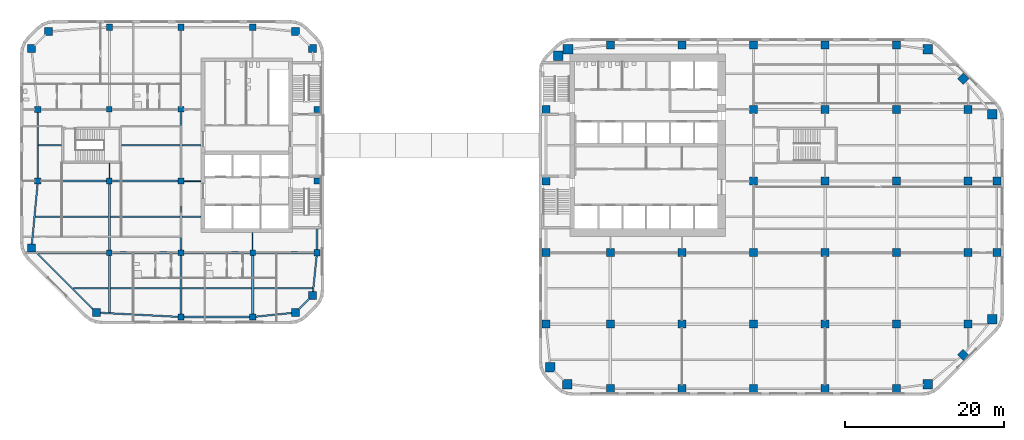
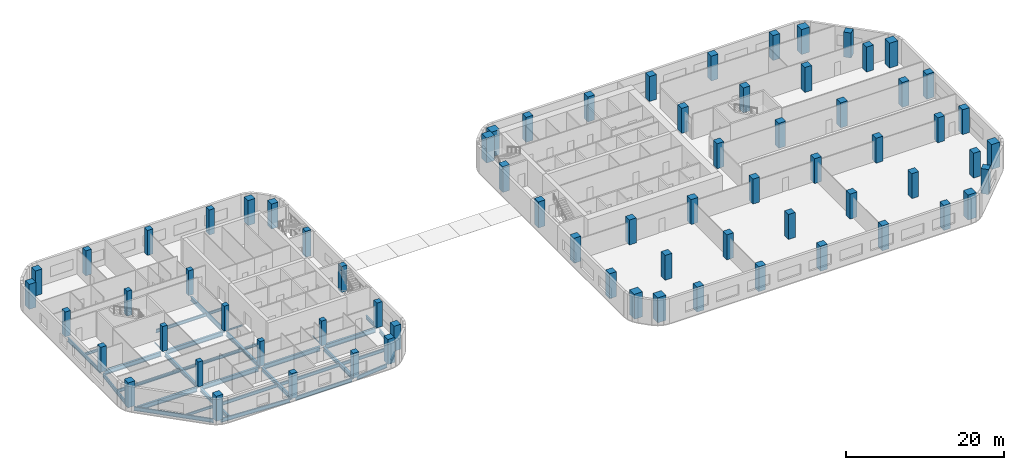
# One storey, part 1 of 15: 71 columns, 34 beams.
"""IFC4 building model written with IfcOpenShell, lengths in metres."""

from ifc_helpers import new_model, si_unit, direction, frame, origin, origin_2d, place, context, subcontext, project, spatial, rectangle, i_section, extrude, material, material_profile, profile_set, type_object, element, save


model = new_model("IFC4")

# Units and contexts
model_context = context("Model", 3, precision=1e-05, world=origin(), true_north=direction((0.0, 1.0)))
body_context = subcontext(model_context, "Body", "Model", "MODEL_VIEW")
ifc_project = project(units=[si_unit("LENGTHUNIT", "METRE"), si_unit("AREAUNIT", "SQUARE_METRE"), si_unit("VOLUMEUNIT", "CUBIC_METRE"), si_unit("PLANEANGLEUNIT", "RADIAN"), si_unit("MASSUNIT", "GRAM", prefix="KILO")], contexts=[model_context])

# Site, building, storey
site_placement = place(None, origin())
site = spatial("IfcSite", under=ifc_project, at=site_placement, CompositionType="ELEMENT")
building_placement = place(site_placement, origin())
building = spatial("IfcBuilding", under=site, at=building_placement, Name="Cinnabar Reach Civic Tower", CompositionType="ELEMENT")
storey_placement = place(building_placement, frame((0.0, 0.0, 75.0)))
storey = spatial("IfcBuildingStorey", under=building, at=storey_placement, Name="L17", CompositionType="ELEMENT", Elevation=75.0)

# Columns
ifc_material_1 = material(Name="Concrete C70", Category="concrete")
ifc_material_profile_1 = material_profile(ifc_material_1, rectangle(XDim=1.0, YDim=1.0, at=origin_2d()), Name="RC1000")
ifc_profile_set_1 = profile_set([ifc_material_profile_1], Name="Concrete C70")
column_type_1 = type_object("IfcColumnType", Name="RC1000 column R 180", PredefinedType="COLUMN", material=ifc_profile_set_1)
for number, where, z_axis, x_axis, name in (
    (1, (-55.6481, 10.4531, 0.0), (0.0, 0.0, 1.0), (1.0, 0.0, 0.0), "Column T2-Z2-CC0"),
    (2, (-30.6019, 10.4531, 0.0), (0.0, 0.0, 1.0), (1.0, 0.0, 0.0), "Column T2-Z2-CC1"),
    (3, (-28.4531, 12.6019, 0.0), (0.0, 0.0, 1.0), (1.0, 0.0, 0.0), "Column T2-Z2-CC2"),
    (4, (-28.4531, 43.6481, 0.0), (0.0, 0.0, 1.0), (1.0, 0.0, 0.0), "Column T2-Z2-CC3"),
    (5, (-30.6019, 45.7969, 0.0), (0.0, 0.0, 1.0), (1.0, 0.0, 0.0), "Column T2-Z2-CC4"),
    (6, (-61.6481, 45.7969, 0.0), (0.0, 0.0, 1.0), (1.0, 0.0, 0.0), "Column T2-Z2-CC5"),
    (7, (-63.7969, 43.6481, 0.0), (0.0, 0.0, 1.0), (1.0, 0.0, 0.0), "Column T2-Z2-CC6"),
    (8, (-63.7969, 18.6019, 0.0), (0.0, 0.0, 1.0), (1.0, 0.0, 0.0), "Column T2-Z2-CC7"),
):
    element("IfcColumn", number, at=place(storey_placement, frame(where, z_axis=z_axis, x_axis=x_axis)), inside=storey, type_object=column_type_1, Name=name, PredefinedType="COLUMN", context=body_context, shape_type="SweptSolid", body=[
        extrude(rectangle(XDim=1.0, YDim=1.0, at=origin_2d()), origin(), (0.0, 0.0, 1.0), 3.85),
    ])
ifc_material_profile_2 = material_profile(ifc_material_1, rectangle(XDim=1.0, YDim=1.0, at=origin_2d()), Name="RC1000")
ifc_profile_set_2 = profile_set([ifc_material_profile_2], Name="Concrete C70")
column_type_2 = type_object("IfcColumnType", Name="RC1000 column R 240", PredefinedType="COLUMN", material=ifc_profile_set_2)
for number, where, z_axis, x_axis, name in (
    (9, (9.0, 0.9, 0.0), (0.0, 0.0, 1.0), (1.0, 0.0, 0.0), "Column T1-Z1-F0-1"),
    (10, (18.0, 0.9, 0.0), (0.0, 0.0, 1.0), (1.0, 0.0, 0.0), "Column T1-Z1-F0-2"),
    (11, (27.0, 0.9, 0.0), (0.0, 0.0, 1.0), (1.0, 0.0, 0.0), "Column T1-Z1-F0-3"),
    (12, (36.0, 0.9, 0.0), (0.0, 0.0, 1.0), (1.0, 0.0, 0.0), "Column T1-Z1-F0-4"),
    (13, (45.0, 0.9, 0.0), (0.0, 0.0, 1.0), (1.0, 0.0, 0.0), "Column T1-Z1-F0-5"),
    (14, (53.3636, 5.1364, 0.0), (0.0, 0.0, 1.0), (0.707106781187, 0.707106781187, 0.0), "Column T1-Z1-F1-M"),
    (15, (57.6, 18.0, 0.0), (0.0, 0.0, 1.0), (1.0, 0.0, 0.0), "Column T1-Z1-F2-2"),
    (16, (57.6, 27.0, 0.0), (0.0, 0.0, 1.0), (1.0, 0.0, 0.0), "Column T1-Z1-F2-3"),
    (17, (53.3636, 39.8636, 0.0), (0.0, 0.0, 1.0), (0.707106781187, 0.707106781187, 0.0), "Column T1-Z1-F3-M"),
    (18, (9.0, 44.1, 0.0), (0.0, 0.0, 1.0), (1.0, 0.0, 0.0), "Column T1-Z1-F4-1"),
    (19, (18.0, 44.1, 0.0), (0.0, 0.0, 1.0), (1.0, 0.0, 0.0), "Column T1-Z1-F4-2"),
    (20, (27.0, 44.1, 0.0), (0.0, 0.0, 1.0), (1.0, 0.0, 0.0), "Column T1-Z1-F4-3"),
    (21, (36.0, 44.1, 0.0), (0.0, 0.0, 1.0), (1.0, 0.0, 0.0), "Column T1-Z1-F4-4"),
    (22, (45.0, 44.1, 0.0), (0.0, 0.0, 1.0), (1.0, 0.0, 0.0), "Column T1-Z1-F4-5"),
    (23, (0.9, 9.0, 0.0), (0.0, 0.0, 1.0), (1.0, 0.0, 0.0), "Column T1-Z1-F6-1"),
    (24, (0.9, 18.0, 0.0), (0.0, 0.0, 1.0), (1.0, 0.0, 0.0), "Column T1-Z1-F6-2"),
):
    element("IfcColumn", number, at=place(storey_placement, frame(where, z_axis=z_axis, x_axis=x_axis)), inside=storey, type_object=column_type_2, Name=name, PredefinedType="COLUMN", context=body_context, shape_type="SweptSolid", body=[
        extrude(rectangle(XDim=1.0, YDim=1.0, at=origin_2d()), origin(), (0.0, 0.0, 1.0), 3.85),
    ])
for number, where, z_axis, x_axis, name in (
    (25, (0.9, 27.0, 0.0), (0.0, 0.0, 1.0), (1.0, 0.0, 0.0), "Column T1-Z1-F6-3"),
    (26, (0.9, 36.0, 0.0), (0.0, 0.0, 1.0), (1.0, 0.0, 0.0), "Column T1-Z1-F6-4"),
):
    element("IfcColumn", number, at=place(storey_placement, frame(where, z_axis=z_axis, x_axis=x_axis)), inside=storey, type_object=column_type_2, Name=name, PredefinedType="COLUMN", context=body_context, shape_type="SweptSolid", body=[
        extrude(rectangle(XDim=1.0, YDim=1.0, at=origin_2d()), origin(), (0.0, 0.0, 1.0), 4.0),
    ])
for number, where, z_axis, x_axis, name in (
    (27, (9.0, 9.0, 0.0), (0.0, 0.0, 1.0), (1.0, 0.0, 0.0), "Column T1-Z1-I9_9"),
    (28, (9.0, 18.0, 0.0), (0.0, 0.0, 1.0), (1.0, 0.0, 0.0), "Column T1-Z1-I9_18"),
    (29, (18.0, 9.0, 0.0), (0.0, 0.0, 1.0), (1.0, 0.0, 0.0), "Column T1-Z1-I18_9"),
    (30, (18.0, 18.0, 0.0), (0.0, 0.0, 1.0), (1.0, 0.0, 0.0), "Column T1-Z1-I18_18"),
    (31, (27.0, 9.0, 0.0), (0.0, 0.0, 1.0), (1.0, 0.0, 0.0), "Column T1-Z1-I27_9"),
    (32, (27.0, 18.0, 0.0), (0.0, 0.0, 1.0), (1.0, 0.0, 0.0), "Column T1-Z1-I27_18"),
    (33, (27.0, 27.0, 0.0), (0.0, 0.0, 1.0), (1.0, 0.0, 0.0), "Column T1-Z1-I27_27"),
    (34, (27.0, 36.0, 0.0), (0.0, 0.0, 1.0), (1.0, 0.0, 0.0), "Column T1-Z1-I27_36"),
    (35, (36.0, 9.0, 0.0), (0.0, 0.0, 1.0), (1.0, 0.0, 0.0), "Column T1-Z1-I36_9"),
    (36, (36.0, 18.0, 0.0), (0.0, 0.0, 1.0), (1.0, 0.0, 0.0), "Column T1-Z1-I36_18"),
    (37, (36.0, 27.0, 0.0), (0.0, 0.0, 1.0), (1.0, 0.0, 0.0), "Column T1-Z1-I36_27"),
    (38, (36.0, 36.0, 0.0), (0.0, 0.0, 1.0), (1.0, 0.0, 0.0), "Column T1-Z1-I36_36"),
    (39, (45.0, 9.0, 0.0), (0.0, 0.0, 1.0), (1.0, 0.0, 0.0), "Column T1-Z1-I45_9"),
    (40, (45.0, 18.0, 0.0), (0.0, 0.0, 1.0), (1.0, 0.0, 0.0), "Column T1-Z1-I45_18"),
    (41, (45.0, 27.0, 0.0), (0.0, 0.0, 1.0), (1.0, 0.0, 0.0), "Column T1-Z1-I45_27"),
    (42, (45.0, 36.0, 0.0), (0.0, 0.0, 1.0), (1.0, 0.0, 0.0), "Column T1-Z1-I45_36"),
    (43, (54.0, 9.0, 0.0), (0.0, 0.0, 1.0), (1.0, 0.0, 0.0), "Column T1-Z1-I54_9"),
    (44, (54.0, 18.0, 0.0), (0.0, 0.0, 1.0), (1.0, 0.0, 0.0), "Column T1-Z1-I54_18"),
    (45, (54.0, 27.0, 0.0), (0.0, 0.0, 1.0), (1.0, 0.0, 0.0), "Column T1-Z1-I54_27"),
    (46, (54.0, 36.0, 0.0), (0.0, 0.0, 1.0), (1.0, 0.0, 0.0), "Column T1-Z1-I54_36"),
):
    element("IfcColumn", number, at=place(storey_placement, frame(where, z_axis=z_axis, x_axis=x_axis)), inside=storey, type_object=column_type_2, Name=name, PredefinedType="COLUMN", context=body_context, shape_type="SweptSolid", body=[
        extrude(rectangle(XDim=1.0, YDim=1.0, at=origin_2d()), origin(), (0.0, 0.0, 1.0), 3.85),
    ])
ifc_material_2 = material(Name="Concrete C80", Category="concrete")
ifc_material_profile_3 = material_profile(ifc_material_2, rectangle(XDim=1.2, YDim=1.2, at=origin_2d()), Name="RC1200")
ifc_profile_set_3 = profile_set([ifc_material_profile_3], Name="Concrete C80")
column_type_3 = type_object("IfcColumnType", Name="RC1200 column R 240", PredefinedType="COLUMN", material=ifc_profile_set_3)
for number, where, z_axis, x_axis, name in (
    (47, (3.6019, 1.4531, 0.0), (0.0, 0.0, 1.0), (1.0, 0.0, 0.0), "Column T1-Z1-CC0"),
    (48, (48.8981, 1.4531, 0.0), (0.0, 0.0, 1.0), (1.0, 0.0, 0.0), "Column T1-Z1-CC1"),
    (49, (57.0469, 9.6019, 0.0), (0.0, 0.0, 1.0), (1.0, 0.0, 0.0), "Column T1-Z1-CC2"),
    (50, (57.0469, 35.3981, 0.0), (0.0, 0.0, 1.0), (1.0, 0.0, 0.0), "Column T1-Z1-CC3"),
    (51, (48.8981, 43.5469, 0.0), (0.0, 0.0, 1.0), (1.0, 0.0, 0.0), "Column T1-Z1-CC4"),
    (52, (3.6666, 43.5737, 0.0), (0.0, 0.0, 1.0), (1.0, 0.0, 0.0), "Column T1-Z1-CC5"),
    (53, (2.4631, 42.75, 0.0), (0.0, 0.0, 1.0), (1.0, 0.0, 0.0), "Column T1-Z1-CC6"),
    (54, (1.4531, 3.6019, 0.0), (0.0, 0.0, 1.0), (1.0, 0.0, 0.0), "Column T1-Z1-CC7"),
):
    element("IfcColumn", number, at=place(storey_placement, frame(where, z_axis=z_axis, x_axis=x_axis)), inside=storey, type_object=column_type_3, Name=name, PredefinedType="COLUMN", context=body_context, shape_type="SweptSolid", body=[
        extrude(rectangle(XDim=1.2, YDim=1.2, at=origin_2d()), origin(), (0.0, 0.0, 1.0), 3.85),
    ])
ifc_material_3 = material(Name="Concrete C60", Category="concrete")
ifc_material_profile_4 = material_profile(ifc_material_3, rectangle(XDim=0.7, YDim=0.7, at=origin_2d()), Name="RC700")
ifc_profile_set_4 = profile_set([ifc_material_profile_4], Name="Concrete C60")
column_type_4 = type_object("IfcColumnType", Name="RC700 column R 180", PredefinedType="COLUMN", material=ifc_profile_set_4)
for number, where, z_axis, x_axis, name in (
    (55, (-54.0, 18.0, 0.0), (0.0, 0.0, 1.0), (1.0, 0.0, 0.0), "Column T2-Z2-I-54_18"),
    (56, (-54.0, 27.0, 0.0), (0.0, 0.0, 1.0), (1.0, 0.0, 0.0), "Column T2-Z2-I-54_27"),
    (57, (-54.0, 36.0, 0.0), (0.0, 0.0, 1.0), (1.0, 0.0, 0.0), "Column T2-Z2-I-54_36"),
    (58, (-45.0, 18.0, 0.0), (0.0, 0.0, 1.0), (1.0, 0.0, 0.0), "Column T2-Z2-I-45_18"),
    (59, (-45.0, 27.0, 0.0), (0.0, 0.0, 1.0), (1.0, 0.0, 0.0), "Column T2-Z2-I-45_27"),
    (60, (-45.0, 36.0, 0.0), (0.0, 0.0, 1.0), (1.0, 0.0, 0.0), "Column T2-Z2-I-45_36"),
    (61, (-36.0, 18.0, 0.0), (0.0, 0.0, 1.0), (1.0, 0.0, 0.0), "Column T2-Z2-I-36_18"),
):
    element("IfcColumn", number, at=place(storey_placement, frame(where, z_axis=z_axis, x_axis=x_axis)), inside=storey, type_object=column_type_4, Name=name, PredefinedType="COLUMN", context=body_context, shape_type="SweptSolid", body=[
        extrude(rectangle(XDim=0.7, YDim=0.7, at=origin_2d()), origin(), (0.0, 0.0, 1.0), 3.85),
    ])
ifc_material_profile_5 = material_profile(ifc_material_3, rectangle(XDim=0.8, YDim=0.8, at=origin_2d()), Name="RC800")
ifc_profile_set_5 = profile_set([ifc_material_profile_5], Name="Concrete C60")
column_type_5 = type_object("IfcColumnType", Name="RC800 column R 180", PredefinedType="COLUMN", material=ifc_profile_set_5)
for number, where, z_axis, x_axis, name in (
    (62, (-45.0, 9.9, 0.0), (0.0, 0.0, 1.0), (1.0, 0.0, 0.0), "Column T2-Z2-F0--5"),
    (63, (-36.0, 9.9, 0.0), (0.0, 0.0, 1.0), (1.0, 0.0, 0.0), "Column T2-Z2-F0--4"),
    (64, (-27.9, 18.0, 0.0), (0.0, 0.0, 1.0), (1.0, 0.0, 0.0), "Column T2-Z2-F2-2"),
):
    element("IfcColumn", number, at=place(storey_placement, frame(where, z_axis=z_axis, x_axis=x_axis)), inside=storey, type_object=column_type_5, Name=name, PredefinedType="COLUMN", context=body_context, shape_type="SweptSolid", body=[
        extrude(rectangle(XDim=0.8, YDim=0.8, at=origin_2d()), origin(), (0.0, 0.0, 1.0), 3.85),
    ])
for number, where, z_axis, x_axis, name in (
    (65, (-27.9, 27.0, 0.0), (0.0, 0.0, 1.0), (1.0, 0.0, 0.0), "Column T2-Z2-F2-3"),
    (66, (-27.9, 36.0, 0.0), (0.0, 0.0, 1.0), (1.0, 0.0, 0.0), "Column T2-Z2-F2-4"),
):
    element("IfcColumn", number, at=place(storey_placement, frame(where, z_axis=z_axis, x_axis=x_axis)), inside=storey, type_object=column_type_5, Name=name, PredefinedType="COLUMN", context=body_context, shape_type="SweptSolid", body=[
        extrude(rectangle(XDim=0.8, YDim=0.8, at=origin_2d()), origin(), (0.0, 0.0, 1.0), 4.0),
    ])
for number, where, z_axis, x_axis, name in (
    (67, (-54.0, 46.35, 0.0), (0.0, 0.0, 1.0), (1.0, 0.0, 0.0), "Column T2-Z2-F4--6"),
    (68, (-45.0, 46.35, 0.0), (0.0, 0.0, 1.0), (1.0, 0.0, 0.0), "Column T2-Z2-F4--5"),
    (69, (-36.0, 46.35, 0.0), (0.0, 0.0, 1.0), (1.0, 0.0, 0.0), "Column T2-Z2-F4--4"),
    (70, (-63.0, 27.0, 0.0), (0.0, 0.0, 1.0), (1.0, 0.0, 0.0), "Column T2-Z2-F6-3"),
    (71, (-63.0, 36.0, 0.0), (0.0, 0.0, 1.0), (1.0, 0.0, 0.0), "Column T2-Z2-F6-4"),
):
    element("IfcColumn", number, at=place(storey_placement, frame(where, z_axis=z_axis, x_axis=x_axis)), inside=storey, type_object=column_type_5, Name=name, PredefinedType="COLUMN", context=body_context, shape_type="SweptSolid", body=[
        extrude(rectangle(XDim=0.8, YDim=0.8, at=origin_2d()), origin(), (0.0, 0.0, 1.0), 3.85),
    ])

# Beams
ifc_material_4 = material(Name="Steel Q355B", Category="steel")
ifc_material_profile_6 = material_profile(ifc_material_4, i_section(OverallWidth=0.302, OverallDepth=0.594, WebThickness=0.014, FlangeThickness=0.023, FilletRadius=0.016, at=origin_2d()), Name="HM594x302x14x23")
ifc_profile_set_6 = profile_set([ifc_material_profile_6], Name="Steel Q355B")
beam_type_1 = type_object("IfcBeamType", Name="HM594x302x14x23 beam R 120", PredefinedType="BEAM", material=ifc_profile_set_6)
beam_1_placement = place(storey_placement, frame((-54.0, 10.4696, -0.447), z_axis=(0.0, 1.0, 0.0), x_axis=(-1.0, 0.0, 0.0)))
element("IfcBeam", 72, at=beam_1_placement, inside=storey, type_object=beam_type_1, Name="Girder T2 L17 1", PredefinedType="BEAM", context=body_context, shape_type="SweptSolid", body=[
    extrude(i_section(OverallWidth=0.302, OverallDepth=0.594, WebThickness=0.014, FlangeThickness=0.023, FilletRadius=0.016, at=origin_2d()), origin(), (0.0, 0.0, 1.0), 7.1784),
])
beam_2_placement = place(storey_placement, frame((-54.0, 18.352, -0.447), z_axis=(0.0, 1.0, 0.0), x_axis=(-1.0, 0.0, 0.0)))
element("IfcBeam", 73, at=beam_2_placement, inside=storey, type_object=beam_type_1, Name="Girder T2 L17 2", PredefinedType="BEAM", context=body_context, shape_type="SweptSolid", body=[
    extrude(i_section(OverallWidth=0.302, OverallDepth=0.594, WebThickness=0.014, FlangeThickness=0.023, FilletRadius=0.016, at=origin_2d()), origin(), (0.0, 0.0, 1.0), 8.296),
])
beam_3_placement = place(storey_placement, frame((-45.0, 10.302, -0.447), z_axis=(0.0, 1.0, 0.0), x_axis=(-1.0, 0.0, 0.0)))
element("IfcBeam", 74, at=beam_3_placement, inside=storey, type_object=beam_type_1, Name="Girder T2 L17 6", PredefinedType="BEAM", context=body_context, shape_type="SweptSolid", body=[
    extrude(i_section(OverallWidth=0.302, OverallDepth=0.594, WebThickness=0.014, FlangeThickness=0.023, FilletRadius=0.016, at=origin_2d()), origin(), (0.0, 0.0, 1.0), 7.346),
])
for number, where, z_axis, x_axis, name in (
    (75, (-45.0, 18.352, -0.447), (0.0, 1.0, 0.0), (-1.0, 0.0, 0.0), "Girder T2 L17 7"),
    (76, (-45.0, 27.352, -0.447), (0.0, 1.0, 0.0), (-1.0, 0.0, 0.0), "Girder T2 L17 8"),
):
    element("IfcBeam", number, at=place(storey_placement, frame(where, z_axis=z_axis, x_axis=x_axis)), inside=storey, type_object=beam_type_1, Name=name, PredefinedType="BEAM", context=body_context, shape_type="SweptSolid", body=[
        extrude(i_section(OverallWidth=0.302, OverallDepth=0.594, WebThickness=0.014, FlangeThickness=0.023, FilletRadius=0.016, at=origin_2d()), origin(), (0.0, 0.0, 1.0), 8.296),
    ])
beam_4_placement = place(storey_placement, frame((-36.0, 10.302, -0.447), z_axis=(0.0, 1.0, 0.0), x_axis=(-1.0, 0.0, 0.0)))
element("IfcBeam", 77, at=beam_4_placement, inside=storey, type_object=beam_type_1, Name="Girder T2 L17 10", PredefinedType="BEAM", context=body_context, shape_type="SweptSolid", body=[
    extrude(i_section(OverallWidth=0.302, OverallDepth=0.594, WebThickness=0.014, FlangeThickness=0.023, FilletRadius=0.016, at=origin_2d()), origin(), (0.0, 0.0, 1.0), 7.346),
])
ifc_material_profile_7 = material_profile(ifc_material_4, i_section(OverallWidth=0.099, OverallDepth=0.198, WebThickness=0.0045, FlangeThickness=0.007, FilletRadius=0.013, at=origin_2d()), Name="HN200x100x5.5x8")
ifc_profile_set_7 = profile_set([ifc_material_profile_7], Name="Steel Q355B")
beam_type_2 = type_object("IfcBeamType", Name="HN200x100x5.5x8 beam R 120", PredefinedType="BEAM", material=ifc_profile_set_7)
beam_5_placement = place(storey_placement, frame((-54.0, 27.352, -0.249), z_axis=(0.0, 1.0, 0.0), x_axis=(-1.0, 0.0, 0.0)))
element("IfcBeam", 78, at=beam_5_placement, inside=storey, type_object=beam_type_2, Name="Girder T2 L17 3", PredefinedType="BEAM", context=body_context, shape_type="SweptSolid", body=[
    extrude(i_section(OverallWidth=0.099, OverallDepth=0.198, WebThickness=0.0045, FlangeThickness=0.007, FilletRadius=0.013, at=origin_2d()), origin(), (0.0, 0.0, 1.0), 1.896),
])
beam_6_placement = place(storey_placement, frame((-36.0, 18.352, -0.249), z_axis=(0.0, 1.0, 0.0), x_axis=(-1.0, 0.0, 0.0)))
element("IfcBeam", 79, at=beam_6_placement, inside=storey, type_object=beam_type_2, Name="Girder T2 L17 11", PredefinedType="BEAM", context=body_context, shape_type="SweptSolid", body=[
    extrude(i_section(OverallWidth=0.099, OverallDepth=0.198, WebThickness=0.0045, FlangeThickness=0.007, FilletRadius=0.013, at=origin_2d()), origin(), (0.0, 0.0, 1.0), 2.146),
])
ifc_material_profile_8 = material_profile(ifc_material_4, i_section(OverallWidth=0.124, OverallDepth=0.248, WebThickness=0.005, FlangeThickness=0.008, FilletRadius=0.013, at=origin_2d()), Name="HN250x125x6x9")
ifc_profile_set_8 = profile_set([ifc_material_profile_8], Name="Steel Q355B")
beam_type_3 = type_object("IfcBeamType", Name="HN250x125x6x9 beam R 120", PredefinedType="BEAM", material=ifc_profile_set_8)
beam_7_placement = place(storey_placement, frame((-44.648, 27.0, -0.274), z_axis=(1.0, 0.0, 0.0), x_axis=(0.0, 1.0, 0.0)))
element("IfcBeam", 80, at=beam_7_placement, inside=storey, type_object=beam_type_3, Name="Girder T2 L17 7", PredefinedType="BEAM", context=body_context, shape_type="SweptSolid", body=[
    extrude(i_section(OverallWidth=0.124, OverallDepth=0.248, WebThickness=0.005, FlangeThickness=0.008, FilletRadius=0.013, at=origin_2d()), origin(), (0.0, 0.0, 1.0), 2.146),
])
ifc_material_profile_9 = material_profile(ifc_material_4, i_section(OverallWidth=0.199, OverallDepth=0.396, WebThickness=0.007, FlangeThickness=0.011, FilletRadius=0.013, at=origin_2d()), Name="HN396x199x7x11")
ifc_profile_set_9 = profile_set([ifc_material_profile_9], Name="Steel Q355B")
beam_type_4 = type_object("IfcBeamType", Name="HN396x199x7x11 beam R 120", PredefinedType="BEAM", material=ifc_profile_set_9)
beam_8_placement = place(storey_placement, frame((-58.5508, 13.5, -0.348), z_axis=(1.0, 0.0, 0.0), x_axis=(0.0, 1.0, 0.0)))
element("IfcBeam", 81, at=beam_8_placement, inside=storey, type_object=beam_type_4, Name="Secondary beam T2 L17 1", PredefinedType="BEAM", context=body_context, shape_type="SweptSolid", body=[
    extrude(i_section(OverallWidth=0.199, OverallDepth=0.396, WebThickness=0.007, FlangeThickness=0.011, FilletRadius=0.013, at=origin_2d()), origin(), (0.0, 0.0, 1.0), 4.3978),
])
beam_9_placement = place(storey_placement, frame((-44.847, 22.5, -0.348), z_axis=(1.0, 0.0, 0.0), x_axis=(0.0, 1.0, 0.0)))
element("IfcBeam", 82, at=beam_9_placement, inside=storey, type_object=beam_type_4, Name="Secondary beam T2 L17 7", PredefinedType="BEAM", context=body_context, shape_type="SweptSolid", body=[
    extrude(i_section(OverallWidth=0.199, OverallDepth=0.396, WebThickness=0.007, FlangeThickness=0.011, FilletRadius=0.013, at=origin_2d()), origin(), (0.0, 0.0, 1.0), 2.345),
])
beam_10_placement = place(storey_placement, frame((-62.898, 31.5, -0.348), z_axis=(1.0, 0.0, 0.0), x_axis=(0.0, 1.0, 0.0)))
element("IfcBeam", 83, at=beam_10_placement, inside=storey, type_object=beam_type_4, Name="Secondary beam T2 L17 8", PredefinedType="BEAM", context=body_context, shape_type="SweptSolid", body=[
    extrude(i_section(OverallWidth=0.199, OverallDepth=0.396, WebThickness=0.007, FlangeThickness=0.011, FilletRadius=0.013, at=origin_2d()), origin(), (0.0, 0.0, 1.0), 2.896),
])
beam_11_placement = place(storey_placement, frame((-44.847, 31.5, -0.348), z_axis=(1.0, 0.0, 0.0), x_axis=(0.0, 1.0, 0.0)))
element("IfcBeam", 84, at=beam_11_placement, inside=storey, type_object=beam_type_4, Name="Secondary beam T2 L17 10", PredefinedType="BEAM", context=body_context, shape_type="SweptSolid", body=[
    extrude(i_section(OverallWidth=0.199, OverallDepth=0.396, WebThickness=0.007, FlangeThickness=0.011, FilletRadius=0.013, at=origin_2d()), origin(), (0.0, 0.0, 1.0), 2.345),
])
ifc_material_profile_10 = material_profile(ifc_material_4, i_section(OverallWidth=0.199, OverallDepth=0.496, WebThickness=0.009, FlangeThickness=0.014, FilletRadius=0.016, at=origin_2d()), Name="HN496x199x9x14")
ifc_profile_set_10 = profile_set([ifc_material_profile_10], Name="Steel Q355B")
beam_type_5 = type_object("IfcBeamType", Name="HN496x199x9x14 beam R 120", PredefinedType="BEAM", material=ifc_profile_set_10)
for number, where, z_axis, x_axis, name in (
    (85, (-53.847, 13.5, -0.398), (1.0, 0.0, 0.0), (0.0, 1.0, 0.0), "Secondary beam T2 L17 2"),
    (86, (-44.847, 13.5, -0.398), (1.0, 0.0, 0.0), (0.0, 1.0, 0.0), "Secondary beam T2 L17 3"),
):
    element("IfcBeam", number, at=place(storey_placement, frame(where, z_axis=z_axis, x_axis=x_axis)), inside=storey, type_object=beam_type_5, Name=name, PredefinedType="BEAM", context=body_context, shape_type="SweptSolid", body=[
        extrude(i_section(OverallWidth=0.199, OverallDepth=0.496, WebThickness=0.009, FlangeThickness=0.014, FilletRadius=0.016, at=origin_2d()), origin(), (0.0, 0.0, 1.0), 8.694),
    ])
beam_12_placement = place(storey_placement, frame((-35.847, 13.5, -0.398), z_axis=(1.0, 0.0, 0.0), x_axis=(0.0, 1.0, 0.0)))
element("IfcBeam", 87, at=beam_12_placement, inside=storey, type_object=beam_type_5, Name="Secondary beam T2 L17 4", PredefinedType="BEAM", context=body_context, shape_type="SweptSolid", body=[
    extrude(i_section(OverallWidth=0.199, OverallDepth=0.496, WebThickness=0.009, FlangeThickness=0.014, FilletRadius=0.016, at=origin_2d()), origin(), (0.0, 0.0, 1.0), 7.3834),
])
beam_13_placement = place(storey_placement, frame((-63.3245, 22.5, -0.398), z_axis=(1.0, 0.0, 0.0), x_axis=(0.0, 1.0, 0.0)))
element("IfcBeam", 88, at=beam_13_placement, inside=storey, type_object=beam_type_5, Name="Secondary beam T2 L17 5", PredefinedType="BEAM", context=body_context, shape_type="SweptSolid", body=[
    extrude(i_section(OverallWidth=0.199, OverallDepth=0.496, WebThickness=0.009, FlangeThickness=0.014, FilletRadius=0.016, at=origin_2d()), origin(), (0.0, 0.0, 1.0), 9.1715),
])
beam_14_placement = place(storey_placement, frame((-53.847, 22.5, -0.398), z_axis=(1.0, 0.0, 0.0), x_axis=(0.0, 1.0, 0.0)))
element("IfcBeam", 89, at=beam_14_placement, inside=storey, type_object=beam_type_5, Name="Secondary beam T2 L17 6", PredefinedType="BEAM", context=body_context, shape_type="SweptSolid", body=[
    extrude(i_section(OverallWidth=0.199, OverallDepth=0.496, WebThickness=0.009, FlangeThickness=0.014, FilletRadius=0.016, at=origin_2d()), origin(), (0.0, 0.0, 1.0), 8.694),
])
beam_15_placement = place(storey_placement, frame((-52.498, 31.5, -0.398), z_axis=(1.0, 0.0, 0.0), x_axis=(0.0, 1.0, 0.0)))
element("IfcBeam", 90, at=beam_15_placement, inside=storey, type_object=beam_type_5, Name="Secondary beam T2 L17 9", PredefinedType="BEAM", context=body_context, shape_type="SweptSolid", body=[
    extrude(i_section(OverallWidth=0.199, OverallDepth=0.496, WebThickness=0.009, FlangeThickness=0.014, FilletRadius=0.016, at=origin_2d()), origin(), (0.0, 0.0, 1.0), 7.345),
])
ifc_material_profile_11 = material_profile(ifc_material_4, i_section(OverallWidth=0.2, OverallDepth=0.6, WebThickness=0.011, FlangeThickness=0.017, FilletRadius=0.016, at=origin_2d()), Name="HN600x200x11x17")
ifc_profile_set_11 = profile_set([ifc_material_profile_11], Name="Steel Q355B")
beam_type_6 = type_object("IfcBeamType", Name="HN600x200x11x17 beam R 120", PredefinedType="BEAM", material=ifc_profile_set_11)
beam_16_placement = place(storey_placement, frame((-55.2661, 10.4333, -0.45), z_axis=(0.998653533726, -0.051876001934, 0.0), x_axis=(0.051876001934, 0.998653533726, 0.0)))
element("IfcBeam", 91, at=beam_16_placement, inside=storey, type_object=beam_type_6, Name="Edge beam T2 L17 1", PredefinedType="BEAM", context=body_context, shape_type="SweptSolid", body=[
    extrude(i_section(OverallWidth=0.2, OverallDepth=0.6, WebThickness=0.011, FlangeThickness=0.017, FilletRadius=0.016, at=origin_2d()), origin(), (0.0, 0.0, 1.0), 9.8774),
])
beam_17_placement = place(storey_placement, frame((-44.598, 9.9, -0.45), z_axis=(1.0, 0.0, 0.0), x_axis=(0.0, 1.0, 0.0)))
element("IfcBeam", 92, at=beam_17_placement, inside=storey, type_object=beam_type_6, Name="Edge beam T2 L17 2", PredefinedType="BEAM", context=body_context, shape_type="SweptSolid", body=[
    extrude(i_section(OverallWidth=0.2, OverallDepth=0.6, WebThickness=0.011, FlangeThickness=0.017, FilletRadius=0.016, at=origin_2d()), origin(), (0.0, 0.0, 1.0), 8.196),
])
beam_18_placement = place(storey_placement, frame((-35.598, 9.9412, -0.45), z_axis=(0.994791084875, 0.101934770579, 0.0), x_axis=(-0.101934770579, 0.994791084875, 0.0)))
element("IfcBeam", 93, at=beam_18_placement, inside=storey, type_object=beam_type_6, Name="Edge beam T2 L17 3", PredefinedType="BEAM", context=body_context, shape_type="SweptSolid", body=[
    extrude(i_section(OverallWidth=0.2, OverallDepth=0.6, WebThickness=0.011, FlangeThickness=0.017, FilletRadius=0.016, at=origin_2d()), origin(), (0.0, 0.0, 1.0), 4.6383),
])
beam_19_placement = place(storey_placement, frame((-30.2199, 10.8351, -0.45), z_axis=(0.707106781187, 0.707106781187, 0.0), x_axis=(-0.707106781187, 0.707106781187, 0.0)))
element("IfcBeam", 94, at=beam_19_placement, inside=storey, type_object=beam_type_6, Name="Edge beam T2 L17 4", PredefinedType="BEAM", context=body_context, shape_type="SweptSolid", body=[
    extrude(i_section(OverallWidth=0.2, OverallDepth=0.6, WebThickness=0.011, FlangeThickness=0.017, FilletRadius=0.016, at=origin_2d()), origin(), (0.0, 0.0, 1.0), 1.9584),
])
beam_20_placement = place(storey_placement, frame((-28.414, 12.9839, -0.45), z_axis=(0.101934770579, 0.994791084875, 0.0), x_axis=(-0.994791084875, 0.101934770579, 0.0)))
element("IfcBeam", 95, at=beam_20_placement, inside=storey, type_object=beam_type_6, Name="Edge beam T2 L17 5", PredefinedType="BEAM", context=body_context, shape_type="SweptSolid", body=[
    extrude(i_section(OverallWidth=0.2, OverallDepth=0.6, WebThickness=0.011, FlangeThickness=0.017, FilletRadius=0.016, at=origin_2d()), origin(), (0.0, 0.0, 1.0), 4.6383),
])
beam_21_placement = place(storey_placement, frame((-27.9, 18.402, -0.45), z_axis=(0.0, 1.0, 0.0), x_axis=(-1.0, 0.0, 0.0)))
element("IfcBeam", 96, at=beam_21_placement, inside=storey, type_object=beam_type_6, Name="Edge beam T2 L17 6", PredefinedType="BEAM", context=body_context, shape_type="SweptSolid", body=[
    extrude(i_section(OverallWidth=0.2, OverallDepth=0.6, WebThickness=0.011, FlangeThickness=0.017, FilletRadius=0.016, at=origin_2d()), origin(), (0.0, 0.0, 1.0), 2.596),
])
beam_22_placement = place(storey_placement, frame((-63.0, 35.598, -0.45), z_axis=(0.0, -1.0, 0.0), x_axis=(1.0, 0.0, 0.0)))
element("IfcBeam", 97, at=beam_22_placement, inside=storey, type_object=beam_type_6, Name="Edge beam T2 L17 16", PredefinedType="BEAM", context=body_context, shape_type="SweptSolid", body=[
    extrude(i_section(OverallWidth=0.2, OverallDepth=0.6, WebThickness=0.011, FlangeThickness=0.017, FilletRadius=0.016, at=origin_2d()), origin(), (0.0, 0.0, 1.0), 8.196),
])
beam_23_placement = place(storey_placement, frame((-63.0381, 26.598, -0.45), z_axis=(-0.094478368886, -0.99552691466, 0.0), x_axis=(0.99552691466, -0.094478368886, 0.0)))
element("IfcBeam", 98, at=beam_23_placement, inside=storey, type_object=beam_type_6, Name="Edge beam T2 L17 17", PredefinedType="BEAM", context=body_context, shape_type="SweptSolid", body=[
    extrude(i_section(OverallWidth=0.2, OverallDepth=0.6, WebThickness=0.011, FlangeThickness=0.017, FilletRadius=0.016, at=origin_2d()), origin(), (0.0, 0.0, 1.0), 7.6483),
])
beam_24_placement = place(storey_placement, frame((-63.4149, 18.2199, -0.45), z_axis=(0.707106781187, -0.707106781187, 0.0), x_axis=(0.707106781187, 0.707106781187, 0.0)))
element("IfcBeam", 99, at=beam_24_placement, inside=storey, type_object=beam_type_6, Name="Edge beam T2 L17 18", PredefinedType="BEAM", context=body_context, shape_type="SweptSolid", body=[
    extrude(i_section(OverallWidth=0.2, OverallDepth=0.6, WebThickness=0.011, FlangeThickness=0.017, FilletRadius=0.016, at=origin_2d()), origin(), (0.0, 0.0, 1.0), 10.4437),
])
ifc_material_profile_12 = material_profile(ifc_material_4, i_section(OverallWidth=0.3, OverallDepth=0.692, WebThickness=0.013, FlangeThickness=0.02, FilletRadius=0.016, at=origin_2d()), Name="HN692x300x13x20")
ifc_profile_set_12 = profile_set([ifc_material_profile_12], Name="Steel Q355B")
beam_type_7 = type_object("IfcBeamType", Name="HN692x300x13x20 beam R 120", PredefinedType="BEAM", material=ifc_profile_set_12)
beam_25_placement = place(storey_placement, frame((-63.0508, 18.0, -0.496), z_axis=(1.0, 0.0, 0.0), x_axis=(0.0, 1.0, 0.0)))
element("IfcBeam", 100, at=beam_25_placement, inside=storey, type_object=beam_type_7, Name="Girder T2 L17 1", PredefinedType="BEAM", context=body_context, shape_type="SweptSolid", body=[
    extrude(i_section(OverallWidth=0.3, OverallDepth=0.692, WebThickness=0.013, FlangeThickness=0.02, FilletRadius=0.016, at=origin_2d()), origin(), (0.0, 0.0, 1.0), 8.6988),
])
for number, where, z_axis, x_axis, name in (
    (101, (-53.648, 18.0, -0.496), (1.0, 0.0, 0.0), (0.0, 1.0, 0.0), "Girder T2 L17 2"),
    (102, (-44.648, 18.0, -0.496), (1.0, 0.0, 0.0), (0.0, 1.0, 0.0), "Girder T2 L17 3"),
):
    element("IfcBeam", number, at=place(storey_placement, frame(where, z_axis=z_axis, x_axis=x_axis)), inside=storey, type_object=beam_type_7, Name=name, PredefinedType="BEAM", context=body_context, shape_type="SweptSolid", body=[
        extrude(i_section(OverallWidth=0.3, OverallDepth=0.692, WebThickness=0.013, FlangeThickness=0.02, FilletRadius=0.016, at=origin_2d()), origin(), (0.0, 0.0, 1.0), 8.296),
    ])
beam_26_placement = place(storey_placement, frame((-35.648, 18.0, -0.496), z_axis=(1.0, 0.0, 0.0), x_axis=(0.0, 1.0, 0.0)))
element("IfcBeam", 103, at=beam_26_placement, inside=storey, type_object=beam_type_7, Name="Girder T2 L17 4", PredefinedType="BEAM", context=body_context, shape_type="SweptSolid", body=[
    extrude(i_section(OverallWidth=0.3, OverallDepth=0.692, WebThickness=0.013, FlangeThickness=0.02, FilletRadius=0.016, at=origin_2d()), origin(), (0.0, 0.0, 1.0), 7.346),
])
beam_27_placement = place(storey_placement, frame((-62.598, 27.0, -0.496), z_axis=(1.0, 0.0, 0.0), x_axis=(0.0, 1.0, 0.0)))
element("IfcBeam", 104, at=beam_27_placement, inside=storey, type_object=beam_type_7, Name="Girder T2 L17 5", PredefinedType="BEAM", context=body_context, shape_type="SweptSolid", body=[
    extrude(i_section(OverallWidth=0.3, OverallDepth=0.692, WebThickness=0.013, FlangeThickness=0.02, FilletRadius=0.016, at=origin_2d()), origin(), (0.0, 0.0, 1.0), 8.246),
])
beam_28_placement = place(storey_placement, frame((-53.648, 27.0, -0.496), z_axis=(1.0, 0.0, 0.0), x_axis=(0.0, 1.0, 0.0)))
element("IfcBeam", 105, at=beam_28_placement, inside=storey, type_object=beam_type_7, Name="Girder T2 L17 6", PredefinedType="BEAM", context=body_context, shape_type="SweptSolid", body=[
    extrude(i_section(OverallWidth=0.3, OverallDepth=0.692, WebThickness=0.013, FlangeThickness=0.02, FilletRadius=0.016, at=origin_2d()), origin(), (0.0, 0.0, 1.0), 8.296),
])

save(model, "model.ifc")
